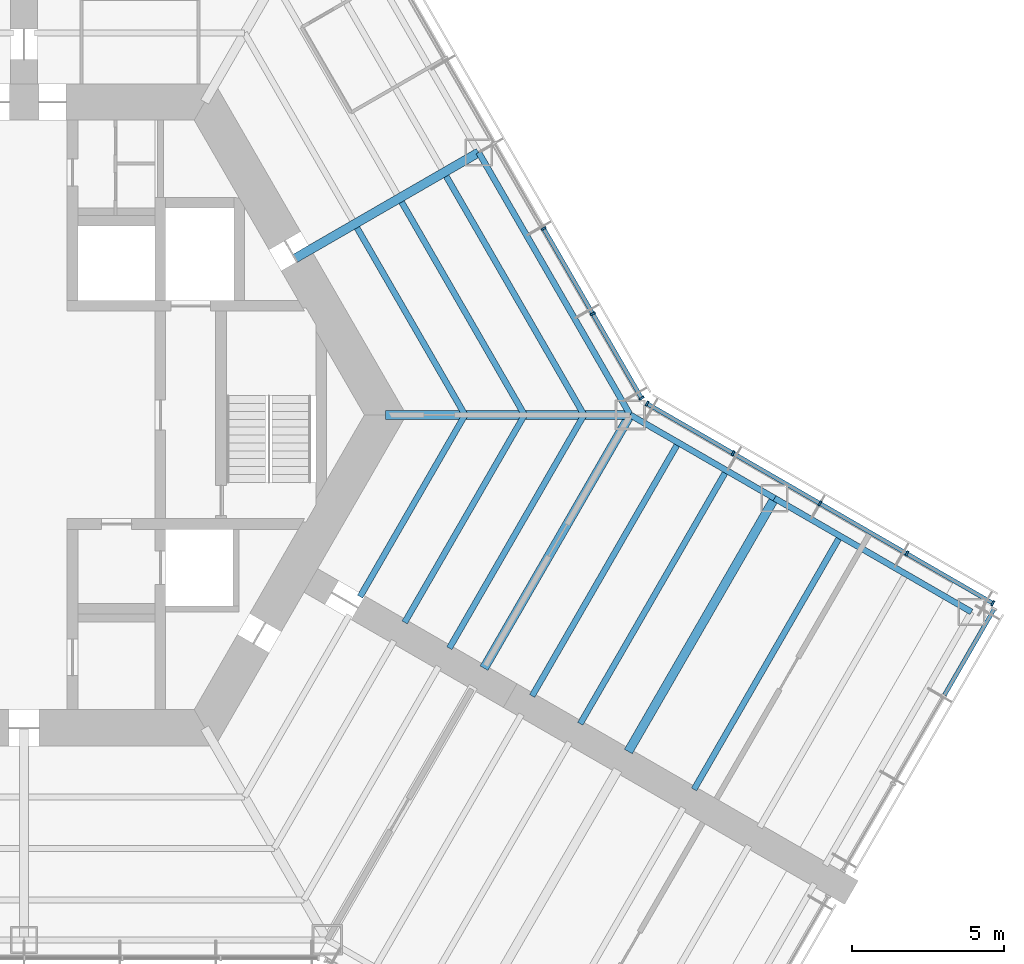
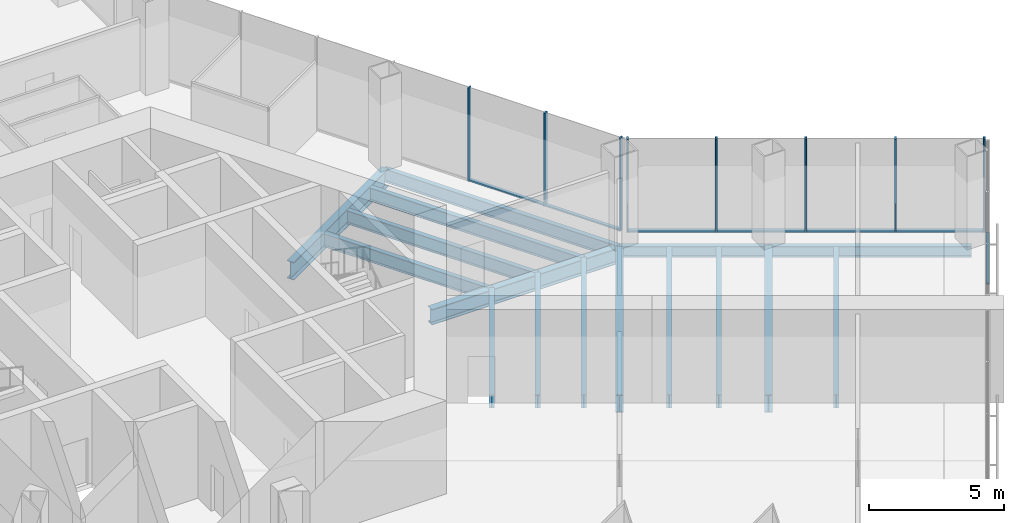
# One storey, part 5 of 16: 16 beams, 15 members, 3 elements without a shape of their own.
"""IFC4 building model written with IfcOpenShell, lengths in metres."""

from ifc_helpers import new_model, si_unit, direction, frame, origin, origin_2d, place, context, subcontext, project, spatial, rectangle, i_section, extrude, material, material_profile, profile_set, type_object, element, aggregate, save


model = new_model("IFC4")

# Units and contexts
model_context = context("Model", 3, precision=1e-05, world=origin(), true_north=direction((0.0, 1.0)))
body_context = subcontext(model_context, "Body", "Model", "MODEL_VIEW")
ifc_project = project(units=[si_unit("LENGTHUNIT", "METRE"), si_unit("AREAUNIT", "SQUARE_METRE"), si_unit("VOLUMEUNIT", "CUBIC_METRE"), si_unit("PLANEANGLEUNIT", "RADIAN"), si_unit("MASSUNIT", "GRAM", prefix="KILO")], contexts=[model_context])

# Site, building, storey
site_placement = place(None, origin())
site = spatial("IfcSite", under=ifc_project, at=site_placement, CompositionType="ELEMENT")
building_placement = place(site_placement, origin())
building = spatial("IfcBuilding", under=site, at=building_placement, Name="Kasaneha Research Tower", CompositionType="ELEMENT")
storey_placement = place(building_placement, frame((0.0, 0.0, 14.199951171875)))
storey = spatial("IfcBuildingStorey", under=building, at=storey_placement, Name="L04", CompositionType="ELEMENT", Elevation=14.199951171875)

# Beams
ifc_material_1 = material(Name="Steel SN490B", Category="steel")
ifc_material_profile_1 = material_profile(ifc_material_1, i_section(OverallWidth=0.199951171875, OverallDepth=0.60009765625, WebThickness=0.010986328125, FlangeThickness=0.01708984375, FilletRadius=0.012939453125, at=origin_2d()), Name="H-600x200x11x17")
ifc_profile_set_1 = profile_set([ifc_material_profile_1], Name="Steel SN490B")
beam_type_1 = type_object("IfcBeamType", Name="B1-1 secondary beam H-600x200x11x17", PredefinedType="JOIST", material=ifc_profile_set_1)
beam_1_placement = place(storey_placement, frame((14.54931640625, 0.0, -0.5), z_axis=(-0.500016104636, 0.866016105569, 0.0), x_axis=(-0.866016105569, -0.500016104636, 0.0)))
element("IfcBeam", 1, at=beam_1_placement, inside=storey, type_object=beam_type_1, Name="Secondary beam RS030L1 L04", PredefinedType="JOIST", context=body_context, shape_type="SweptSolid", body=[
    extrude(i_section(OverallWidth=0.199951171875, OverallDepth=0.60009765625, WebThickness=0.010986328125, FlangeThickness=0.01708984375, FilletRadius=0.012939453125, at=origin_2d()), origin(), (0.0, 0.0, 1.0), 7.124755859375),
])
beam_2_placement = place(storey_placement, frame((16.51220703125, 0.0, -0.5), z_axis=(-0.49999707157, 0.866027094508, 0.0), x_axis=(-0.866027094508, -0.49999707157, 0.0)))
element("IfcBeam", 2, at=beam_2_placement, inside=storey, type_object=beam_type_1, Name="Secondary beam RS030L2 L04", PredefinedType="JOIST", context=body_context, shape_type="SweptSolid", body=[
    extrude(i_section(OverallWidth=0.199951171875, OverallDepth=0.60009765625, WebThickness=0.010986328125, FlangeThickness=0.01708984375, FilletRadius=0.012939453125, at=origin_2d()), origin(), (0.0, 0.0, 1.0), 8.10595703125),
])
beam_3_placement = place(storey_placement, frame((18.47509765625, 0.0, -0.5), z_axis=(-0.499990665392, 0.866030793056, 0.0), x_axis=(-0.866030793056, -0.499990665392, 0.0)))
element("IfcBeam", 3, at=beam_3_placement, inside=storey, type_object=beam_type_1, Name="Secondary beam RS030L3 L04", PredefinedType="JOIST", context=body_context, shape_type="SweptSolid", body=[
    extrude(i_section(OverallWidth=0.199951171875, OverallDepth=0.60009765625, WebThickness=0.010986328125, FlangeThickness=0.01708984375, FilletRadius=0.012939453125, at=origin_2d()), origin(), (0.0, 0.0, 1.0), 9.087646484375),
])
beam_4_placement = place(storey_placement, frame((14.54931640625, 0.0, -0.5), z_axis=(-0.500014420154, -0.866017078145, 0.0), x_axis=(0.866017078145, -0.500014420154, 0.0)))
element("IfcBeam", 4, at=beam_4_placement, inside=storey, type_object=beam_type_1, Name="Secondary beam RS330R1 L04", PredefinedType="JOIST", context=body_context, shape_type="SweptSolid", body=[
    extrude(i_section(OverallWidth=0.199951171875, OverallDepth=0.60009765625, WebThickness=0.010986328125, FlangeThickness=0.01708984375, FilletRadius=0.012939453125, at=origin_2d()), origin(), (0.0, 0.0, 1.0), 6.924560546875),
])
beam_5_placement = place(storey_placement, frame((16.51220703125, 0.0, -0.5), z_axis=(-0.500004902938, -0.866022573054, 0.0), x_axis=(0.866022573054, -0.500004902938, 0.0)))
element("IfcBeam", 5, at=beam_5_placement, inside=storey, type_object=beam_type_1, Name="Secondary beam RS330R2 L04", PredefinedType="JOIST", context=body_context, shape_type="SweptSolid", body=[
    extrude(i_section(OverallWidth=0.199951171875, OverallDepth=0.60009765625, WebThickness=0.010986328125, FlangeThickness=0.01708984375, FilletRadius=0.012939453125, at=origin_2d()), origin(), (0.0, 0.0, 1.0), 7.90625),
])
beam_6_placement = place(storey_placement, frame((18.47509765625, 0.0, -0.5), z_axis=(-0.499988779951, -0.866031881586, 0.0), x_axis=(0.866031881586, -0.499988779951, 0.0)))
element("IfcBeam", 6, at=beam_6_placement, inside=storey, type_object=beam_type_1, Name="Secondary beam RS330R3 L04", PredefinedType="JOIST", context=body_context, shape_type="SweptSolid", body=[
    extrude(i_section(OverallWidth=0.199951171875, OverallDepth=0.60009765625, WebThickness=0.010986328125, FlangeThickness=0.01708984375, FilletRadius=0.012939453125, at=origin_2d()), origin(), (0.0, 0.0, 1.0), 8.887451171875),
])
ifc_material_2 = material(Name="Steel SN490B", Category="steel")
ifc_material_profile_2 = material_profile(ifc_material_2, i_section(OverallWidth=0.198974609375, OverallDepth=0.595947265625, WebThickness=0.010009765625, FlangeThickness=0.014892578125, FilletRadius=0.012939453125, at=origin_2d()), Name="H-596x199x10x15")
ifc_profile_set_2 = profile_set([ifc_material_profile_2], Name="Steel SN490B")
beam_type_2 = type_object("IfcBeamType", Name="B2-1 secondary beam H-596x199x10x15", PredefinedType="JOIST", material=ifc_profile_set_2)
beam_7_placement = place(storey_placement, frame((21.587646484375, -0.916748046875, -0.498046875), z_axis=(-0.499994742786, -0.866028439017, 0.0), x_axis=(0.866028439017, -0.499994742786, 0.0)))
element("IfcBeam", 7, at=beam_7_placement, inside=storey, type_object=beam_type_2, Name="Secondary beam WBCN1 L04", PredefinedType="JOIST", context=body_context, shape_type="SweptSolid", body=[
    extrude(i_section(OverallWidth=0.198974609375, OverallDepth=0.595947265625, WebThickness=0.010009765625, FlangeThickness=0.014892578125, FilletRadius=0.012939453125, at=origin_2d()), origin(), (0.0, 0.0, 1.0), 9.64990234375),
])
beam_8_placement = place(storey_placement, frame((23.175537109375, -1.833251953125, -0.498046875), z_axis=(-0.500013717211, -0.866017484004, 0.0), x_axis=(0.866017484004, -0.500013717211, 0.0)))
element("IfcBeam", 8, at=beam_8_placement, inside=storey, type_object=beam_type_2, Name="Secondary beam WBCN2 L04", PredefinedType="JOIST", context=body_context, shape_type="SweptSolid", body=[
    extrude(i_section(OverallWidth=0.198974609375, OverallDepth=0.595947265625, WebThickness=0.010009765625, FlangeThickness=0.014892578125, FilletRadius=0.012939453125, at=origin_2d()), origin(), (0.0, 0.0, 1.0), 9.650146484375),
])
beam_9_placement = place(storey_placement, frame((26.92822265625, -4.0, -0.498046875), z_axis=(-0.499994742786, -0.866028439017, 0.0), x_axis=(0.866028439017, -0.499994742786, 0.0)))
element("IfcBeam", 9, at=beam_9_placement, inside=storey, type_object=beam_type_2, Name="Secondary beam WBCN3 L04", PredefinedType="JOIST", context=body_context, shape_type="SweptSolid", body=[
    extrude(i_section(OverallWidth=0.198974609375, OverallDepth=0.595947265625, WebThickness=0.010009765625, FlangeThickness=0.014892578125, FilletRadius=0.012939453125, at=origin_2d()), origin(), (0.0, 0.0, 1.0), 9.64990234375),
])

# Curtain wall, members
ifc_material_3 = material(Name="Glass and aluminium", Category="aluminium")
curtain_wall_type = type_object("IfcCurtainWallType", Name="Wet laboratory curtain wall", PredefinedType="USERDEFINED", material=ifc_material_3)
curtain_wall_1_placement = place(storey_placement, origin())
curtain_wall_1 = element("IfcCurtainWall", 10, at=curtain_wall_1_placement, inside=storey, type_object=curtain_wall_type, Name="CW-L1 L04 run 06a", ObjectType="UNITISED CURTAIN WALL", PredefinedType="USERDEFINED")
ifc_material_4 = material(Name="Aluminium 6063-T6", Category="aluminium")
ifc_material_profile_3 = material_profile(ifc_material_4, rectangle(XDim=0.06494140625, YDim=0.179931640625, at=origin_2d()), Name="CW-L1 mullion 65x180")
ifc_profile_set_3 = profile_set([ifc_material_profile_3], Name="Aluminium 6063-T6")
member_type_1 = type_object("IfcMemberType", Name="CW-L1 mullion", PredefinedType="MULLION", material=ifc_profile_set_3)
member_1_placement = place(storey_placement, frame((31.963134765625, -6.214111328125, 0.0), z_axis=(0.0, 0.0, 1.0), x_axis=(-0.866025411464, 0.499999986699, 0.0)))
member_1 = element("IfcMember", 11, at=member_1_placement, type_object=member_type_1, Name="CW-L1 mullion 1", PredefinedType="MULLION", context=body_context, shape_type="SweptSolid", body=[
    extrude(rectangle(XDim=0.06494140625, YDim=0.179931640625, at=origin_2d()), origin(), (0.0, 0.0, 1.0), 4.199951171875),
])
member_2_placement = place(storey_placement, frame((29.125, -4.575439453125, 0.0), z_axis=(0.0, 0.0, 1.0), x_axis=(-0.866025411464, 0.499999986699, 0.0)))
member_2 = element("IfcMember", 12, at=member_2_placement, type_object=member_type_1, Name="CW-L1 mullion 2", PredefinedType="MULLION", context=body_context, shape_type="SweptSolid", body=[
    extrude(rectangle(XDim=0.06494140625, YDim=0.179931640625, at=origin_2d()), origin(), (0.0, 0.0, 1.0), 4.199951171875),
])
member_3_placement = place(storey_placement, frame((26.258544921875, -2.920654296875, 0.0), z_axis=(0.0, 0.0, 1.0), x_axis=(-0.866025411464, 0.499999986699, 0.0)))
member_3 = element("IfcMember", 13, at=member_3_placement, type_object=member_type_1, Name="CW-L1 mullion 3", PredefinedType="MULLION", context=body_context, shape_type="SweptSolid", body=[
    extrude(rectangle(XDim=0.06494140625, YDim=0.179931640625, at=origin_2d()), origin(), (0.0, 0.0, 1.0), 4.199951171875),
])
member_4_placement = place(storey_placement, frame((23.39208984375, -1.265625, 0.0), z_axis=(0.0, 0.0, 1.0), x_axis=(-0.866025411464, 0.499999986699, 0.0)))
member_4 = element("IfcMember", 14, at=member_4_placement, type_object=member_type_1, Name="CW-L1 mullion 4", PredefinedType="MULLION", context=body_context, shape_type="SweptSolid", body=[
    extrude(rectangle(XDim=0.06494140625, YDim=0.179931640625, at=origin_2d()), origin(), (0.0, 0.0, 1.0), 4.199951171875),
])
member_5_placement = place(storey_placement, frame((20.553955078125, 0.373046875, 0.0), z_axis=(0.0, 0.0, 1.0), x_axis=(-0.866025411464, 0.499999986699, 0.0)))
member_5 = element("IfcMember", 15, at=member_5_placement, type_object=member_type_1, Name="CW-L1 mullion 5", PredefinedType="MULLION", context=body_context, shape_type="SweptSolid", body=[
    extrude(rectangle(XDim=0.06494140625, YDim=0.179931640625, at=origin_2d()), origin(), (0.0, 0.0, 1.0), 4.199951171875),
])

curtain_wall_2_placement = place(storey_placement, origin())
curtain_wall_2 = element("IfcCurtainWall", 16, at=curtain_wall_2_placement, inside=storey, type_object=curtain_wall_type, Name="CW-L1 L04 run 07a", ObjectType="UNITISED CURTAIN WALL", PredefinedType="USERDEFINED")
member_6_placement = place(storey_placement, frame((20.373046875, 0.553955078125, 0.0), z_axis=(0.0, 0.0, 1.0), x_axis=(-0.49999996188, 0.866025425793, 0.0)))
member_6 = element("IfcMember", 17, at=member_6_placement, type_object=member_type_1, Name="CW-L1 mullion 1", PredefinedType="MULLION", context=body_context, shape_type="SweptSolid", body=[
    extrude(rectangle(XDim=0.06494140625, YDim=0.179931640625, at=origin_2d()), origin(), (0.0, 0.0, 1.0), 4.199951171875),
])
member_7_placement = place(storey_placement, frame((18.76611328125, 3.33740234375, 0.0), z_axis=(0.0, 0.0, 1.0), x_axis=(-0.49999996188, 0.866025425793, 0.0)))
member_7 = element("IfcMember", 18, at=member_7_placement, type_object=member_type_1, Name="CW-L1 mullion 2", PredefinedType="MULLION", context=body_context, shape_type="SweptSolid", body=[
    extrude(rectangle(XDim=0.06494140625, YDim=0.179931640625, at=origin_2d()), origin(), (0.0, 0.0, 1.0), 4.199951171875),
])
member_8_placement = place(storey_placement, frame((17.142822265625, 6.148681640625, 0.0), z_axis=(0.0, 0.0, 1.0), x_axis=(-0.49999996188, 0.866025425793, 0.0)))
member_8 = element("IfcMember", 19, at=member_8_placement, type_object=member_type_1, Name="CW-L1 mullion 3", PredefinedType="MULLION", context=body_context, shape_type="SweptSolid", body=[
    extrude(rectangle(XDim=0.06494140625, YDim=0.179931640625, at=origin_2d()), origin(), (0.0, 0.0, 1.0), 4.199951171875),
])

# Curtain wall, member
curtain_wall_3_placement = place(storey_placement, origin())
curtain_wall_3 = element("IfcCurtainWall", 20, at=curtain_wall_3_placement, inside=storey, type_object=curtain_wall_type, Name="CW-L1 L04 run 05a", ObjectType="UNITISED CURTAIN WALL", PredefinedType="USERDEFINED")
ifc_material_5 = material(Name="Aluminium 6063-T6", Category="aluminium")
ifc_material_profile_4 = material_profile(ifc_material_5, rectangle(XDim=0.139892578125, YDim=0.06494140625, at=origin_2d()), Name="CW-L1 transom 140x65")
ifc_profile_set_4 = profile_set([ifc_material_profile_4], Name="Aluminium 6063-T6")
member_type_2 = type_object("IfcMemberType", Name="CW-L1 transom", PredefinedType="USERDEFINED", material=ifc_profile_set_4)
member_9_placement = place(storey_placement, frame((30.369140625, -9.239990234375, 0.032470703125), z_axis=(0.500006189695, 0.866021830133, 0.0), x_axis=(-0.866021830133, 0.500006189695, 0.0)))
member_9 = element("IfcMember", 21, at=member_9_placement, type_object=member_type_2, Name="CW-L1 transom 3", ObjectType="TRANSOM", PredefinedType="USERDEFINED", context=body_context, shape_type="SweptSolid", body=[
    extrude(rectangle(XDim=0.139892578125, YDim=0.06494140625, at=origin_2d()), origin(), (0.0, 0.0, 1.0), 3.25244140625),
])
aggregate(curtain_wall_3, [member_9])

# Member
member_10_placement = place(storey_placement, frame((31.93505859375, -6.197998046875, 0.032470703125), z_axis=(-0.866022320763, 0.500005339912, 0.0), x_axis=(-0.500005339912, -0.866022320763, 0.0)))
member_10 = element("IfcMember", 22, at=member_10_placement, type_object=member_type_2, Name="CW-L1 transom 1", ObjectType="TRANSOM", PredefinedType="USERDEFINED", context=body_context, shape_type="SweptSolid", body=[
    extrude(rectangle(XDim=0.139892578125, YDim=0.06494140625, at=origin_2d()), origin(), (0.0, 0.0, 1.0), 3.21240234375),
])

member_11_placement = place(storey_placement, frame((29.096923828125, -4.559326171875, 0.032470703125), z_axis=(-0.866021460221, 0.500006830391, 0.0), x_axis=(-0.500006830391, -0.866021460221, 0.0)))
member_11 = element("IfcMember", 23, at=member_11_placement, type_object=member_type_2, Name="CW-L1 transom 2", ObjectType="TRANSOM", PredefinedType="USERDEFINED", context=body_context, shape_type="SweptSolid", body=[
    extrude(rectangle(XDim=0.139892578125, YDim=0.06494140625, at=origin_2d()), origin(), (0.0, 0.0, 1.0), 3.2451171875),
])

member_12_placement = place(storey_placement, frame((26.23046875, -2.904296875, 0.032470703125), z_axis=(-0.866035229914, 0.499982980259, 0.0), x_axis=(-0.499982980259, -0.866035229914, 0.0)))
member_12 = element("IfcMember", 24, at=member_12_placement, type_object=member_type_2, Name="CW-L1 transom 3", ObjectType="TRANSOM", PredefinedType="USERDEFINED", context=body_context, shape_type="SweptSolid", body=[
    extrude(rectangle(XDim=0.139892578125, YDim=0.06494140625, at=origin_2d()), origin(), (0.0, 0.0, 1.0), 3.24462890625),
])

member_13_placement = place(storey_placement, frame((23.364013671875, -1.24951171875, 0.032470703125), z_axis=(-0.866022320763, 0.500005339912, 0.0), x_axis=(-0.500005339912, -0.866022320763, 0.0)))
member_13 = element("IfcMember", 25, at=member_13_placement, type_object=member_type_2, Name="CW-L1 transom 4", ObjectType="TRANSOM", PredefinedType="USERDEFINED", context=body_context, shape_type="SweptSolid", body=[
    extrude(rectangle(XDim=0.139892578125, YDim=0.06494140625, at=origin_2d()), origin(), (0.0, 0.0, 1.0), 3.21240234375),
])

aggregate(curtain_wall_1, [member_1, member_2, member_3, member_4, member_5, member_10, member_11, member_12, member_13])

member_14_placement = place(storey_placement, frame((20.356689453125, 0.58203125, 0.032470703125), z_axis=(-0.49999985423, 0.866025487945, 0.0), x_axis=(-0.866025487945, -0.49999985423, 0.0)))
member_14 = element("IfcMember", 26, at=member_14_placement, type_object=member_type_2, Name="CW-L1 transom 1", ObjectType="TRANSOM", PredefinedType="USERDEFINED", context=body_context, shape_type="SweptSolid", body=[
    extrude(rectangle(XDim=0.139892578125, YDim=0.06494140625, at=origin_2d()), origin(), (0.0, 0.0, 1.0), 3.14892578125),
])

member_15_placement = place(storey_placement, frame((18.749755859375, 3.365478515625, 0.032470703125), z_axis=(-0.499977104415, 0.866038622153, 0.0), x_axis=(-0.866038622153, -0.499977104415, 0.0)))
member_15 = element("IfcMember", 27, at=member_15_placement, type_object=member_type_2, Name="CW-L1 transom 2", ObjectType="TRANSOM", PredefinedType="USERDEFINED", context=body_context, shape_type="SweptSolid", body=[
    extrude(rectangle(XDim=0.139892578125, YDim=0.06494140625, at=origin_2d()), origin(), (0.0, 0.0, 1.0), 3.181396484375),
])

aggregate(curtain_wall_2, [member_6, member_7, member_8, member_14, member_15])

# Beams
ifc_material_6 = material(Name="Steel SN490B", Category="steel")
ifc_material_profile_5 = material_profile(ifc_material_6, i_section(OverallWidth=0.300048828125, OverallDepth=0.699951171875, WebThickness=0.012939453125, FlangeThickness=0.02392578125, FilletRadius=0.01806640625, at=origin_2d()), Name="H-700x300x13x24")
ifc_profile_set_5 = profile_set([ifc_material_profile_5], Name="Steel SN490B")
beam_type_3 = type_object("IfcBeamType", Name="G1-1 radial girder H-700x300x13x24", PredefinedType="BEAM", material=ifc_profile_set_5)
beam_10_placement = place(storey_placement, frame((11.92236328125, 0.0, -0.550048828125), z_axis=(1.0, 0.0, 0.0), x_axis=(0.0, 1.0, 0.0)))
element("IfcBeam", 28, at=beam_10_placement, inside=storey, type_object=beam_type_3, Name="Radial girder RV000 L04", PredefinedType="BEAM", context=body_context, shape_type="SweptSolid", body=[
    extrude(i_section(OverallWidth=0.300048828125, OverallDepth=0.699951171875, WebThickness=0.012939453125, FlangeThickness=0.02392578125, FilletRadius=0.01806640625, at=origin_2d()), origin(), (0.0, 0.0, 1.0), 8.07763671875),
])
ifc_material_7 = material(Name="Steel SN490B", Category="steel")
ifc_material_profile_6 = material_profile(ifc_material_7, i_section(OverallWidth=0.300048828125, OverallDepth=0.800048828125, WebThickness=0.013916015625, FlangeThickness=0.02587890625, FilletRadius=0.01806640625, at=origin_2d()), Name="H-800x300x14x26")
ifc_profile_set_6 = profile_set([ifc_material_profile_6], Name="Steel SN490B")
beam_type_4 = type_object("IfcBeamType", Name="G2-1 radial girder H-800x300x14x26", PredefinedType="BEAM", material=ifc_profile_set_6)
beam_11_placement = place(storey_placement, frame((8.941650390625, 5.16259765625, -0.599853515625), z_axis=(0.866039713508, 0.499975214012, 0.0), x_axis=(-0.499975214012, 0.866039713508, 0.0)))
element("IfcBeam", 29, at=beam_11_placement, inside=storey, type_object=beam_type_4, Name="Radial girder RM030 L04", PredefinedType="BEAM", context=body_context, shape_type="SweptSolid", body=[
    extrude(i_section(OverallWidth=0.300048828125, OverallDepth=0.800048828125, WebThickness=0.013916015625, FlangeThickness=0.02587890625, FilletRadius=0.01806640625, at=origin_2d()), origin(), (0.0, 0.0, 1.0), 6.995361328125),
])
ifc_material_8 = material(Name="Steel SN490B", Category="steel")
ifc_material_profile_7 = material_profile(ifc_material_8, i_section(OverallWidth=0.300048828125, OverallDepth=0.7919921875, WebThickness=0.013916015625, FlangeThickness=0.02197265625, FilletRadius=0.01806640625, at=origin_2d()), Name="H-792x300x14x22")
ifc_profile_set_7 = profile_set([ifc_material_profile_7], Name="Steel SN490B")
beam_type_5 = type_object("IfcBeamType", Name="G3-1 plate edge girder H-792x300x14x22", PredefinedType="BEAM", material=ifc_profile_set_7)
beam_12_placement = place(storey_placement, frame((20.0, 0.0, -0.595947265625), z_axis=(-0.499994742786, -0.866028439017, 0.0), x_axis=(0.866028439017, -0.499994742786, 0.0)))
element("IfcBeam", 30, at=beam_12_placement, inside=storey, type_object=beam_type_5, Name="Plate edge girder PECN L04", PredefinedType="BEAM", context=body_context, shape_type="SweptSolid", body=[
    extrude(i_section(OverallWidth=0.300048828125, OverallDepth=0.7919921875, WebThickness=0.013916015625, FlangeThickness=0.02197265625, FilletRadius=0.01806640625, at=origin_2d()), origin(), (0.0, 0.0, 1.0), 9.64990234375),
])
ifc_material_9 = material(Name="Steel SN490B", Category="steel")
ifc_material_profile_8 = material_profile(ifc_material_9, i_section(OverallWidth=0.300048828125, OverallDepth=0.800048828125, WebThickness=0.013916015625, FlangeThickness=0.02587890625, FilletRadius=0.01806640625, at=origin_2d()), Name="H-800x300x14x26")
ifc_profile_set_8 = profile_set([ifc_material_profile_8], Name="Steel SN490B")
beam_type_6 = type_object("IfcBeamType", Name="G4-1 wing girder H-800x300x14x26", PredefinedType="BEAM", material=ifc_profile_set_8)
beam_13_placement = place(storey_placement, frame((24.76318359375, -2.75, -0.599853515625), z_axis=(-0.499994742786, -0.866028439017, 0.0), x_axis=(0.866028439017, -0.499994742786, 0.0)))
element("IfcBeam", 31, at=beam_13_placement, inside=storey, type_object=beam_type_6, Name="Wing girder WGCN L04", PredefinedType="BEAM", context=body_context, shape_type="SweptSolid", body=[
    extrude(i_section(OverallWidth=0.300048828125, OverallDepth=0.800048828125, WebThickness=0.013916015625, FlangeThickness=0.02587890625, FilletRadius=0.01806640625, at=origin_2d()), origin(), (0.0, 0.0, 1.0), 9.64990234375),
])
ifc_material_10 = material(Name="Steel SN490B", Category="steel")
ifc_material_profile_9 = material_profile(ifc_material_10, i_section(OverallWidth=0.199951171875, OverallDepth=0.60009765625, WebThickness=0.010986328125, FlangeThickness=0.01708984375, FilletRadius=0.012939453125, at=origin_2d()), Name="H-600x200x11x17")
ifc_profile_set_9 = profile_set([ifc_material_profile_9], Name="Steel SN490B")
beam_type_7 = type_object("IfcBeamType", Name="SB1-1 spandrel beam H-600x200x11x17", PredefinedType="SPANDREL", material=ifc_profile_set_9)
beam_14_placement = place(storey_placement, frame((20.0, 0.0, -0.5), z_axis=(-0.500004234368, 0.866022959057, 0.0), x_axis=(-0.866022959057, -0.500004234368, 0.0)))
element("IfcBeam", 32, at=beam_14_placement, inside=storey, type_object=beam_type_7, Name="Spandrel beam SR030L L04", PredefinedType="SPANDREL", context=body_context, shape_type="SweptSolid", body=[
    extrude(i_section(OverallWidth=0.199951171875, OverallDepth=0.60009765625, WebThickness=0.010986328125, FlangeThickness=0.01708984375, FilletRadius=0.012939453125, at=origin_2d()), origin(), (0.0, 0.0, 1.0), 10.0),
])
ifc_material_11 = material(Name="Steel SN490B", Category="steel")
ifc_material_profile_10 = material_profile(ifc_material_11, i_section(OverallWidth=0.199951171875, OverallDepth=0.5, WebThickness=0.010009765625, FlangeThickness=0.01611328125, FilletRadius=0.012939453125, at=origin_2d()), Name="H-500x200x10x16")
ifc_profile_set_10 = profile_set([ifc_material_profile_10], Name="Steel SN490B")
beam_type_8 = type_object("IfcBeamType", Name="SB2-1 spandrel beam H-500x200x10x16", PredefinedType="SPANDREL", material=ifc_profile_set_10)
beam_15_placement = place(storey_placement, frame((20.0, 0.0, -0.449951171875), z_axis=(0.866027397988, -0.499996545922, 0.0), x_axis=(0.499996545922, 0.866027397988, 0.0)))
element("IfcBeam", 33, at=beam_15_placement, inside=storey, type_object=beam_type_8, Name="Spandrel beam WSCN1 L04", PredefinedType="SPANDREL", context=body_context, shape_type="SweptSolid", body=[
    extrude(i_section(OverallWidth=0.199951171875, OverallDepth=0.5, WebThickness=0.010009765625, FlangeThickness=0.01611328125, FilletRadius=0.012939453125, at=origin_2d()), origin(), (0.0, 0.0, 1.0), 5.5),
])
beam_16_placement = place(storey_placement, frame((24.76318359375, -2.75, -0.449951171875), z_axis=(0.866022959057, -0.500004234368, 0.0), x_axis=(0.500004234368, 0.866022959057, 0.0)))
element("IfcBeam", 34, at=beam_16_placement, inside=storey, type_object=beam_type_8, Name="Spandrel beam WSCN2 L04", PredefinedType="SPANDREL", context=body_context, shape_type="SweptSolid", body=[
    extrude(i_section(OverallWidth=0.199951171875, OverallDepth=0.5, WebThickness=0.010009765625, FlangeThickness=0.01611328125, FilletRadius=0.012939453125, at=origin_2d()), origin(), (0.0, 0.0, 1.0), 7.5),
])

save(model, "model.ifc")
